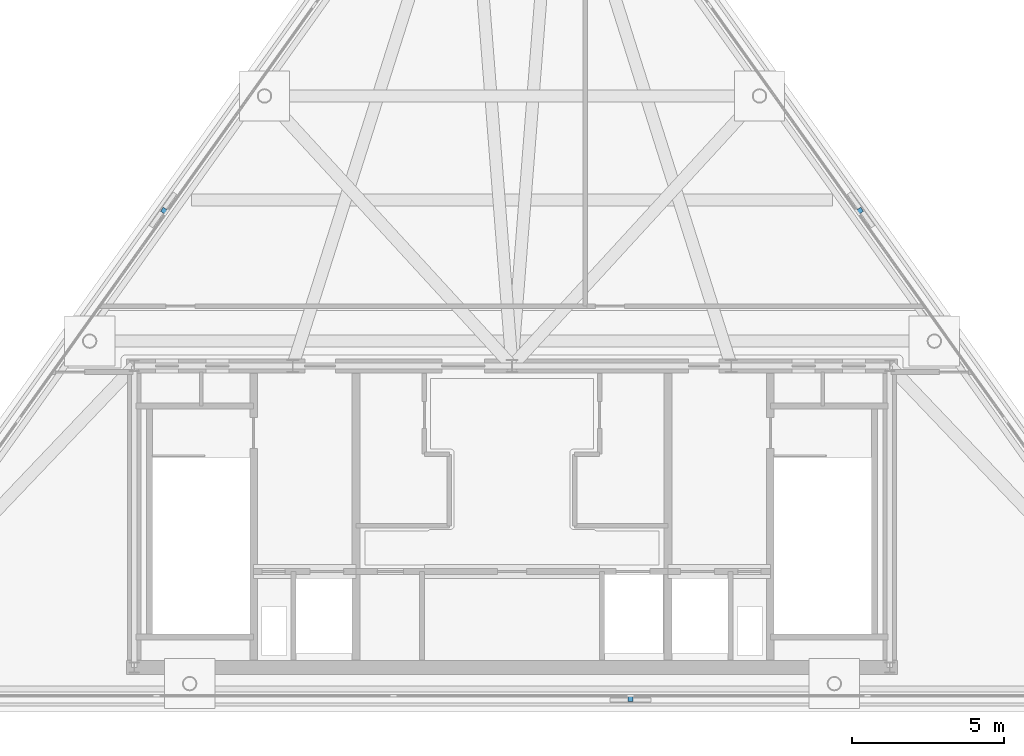
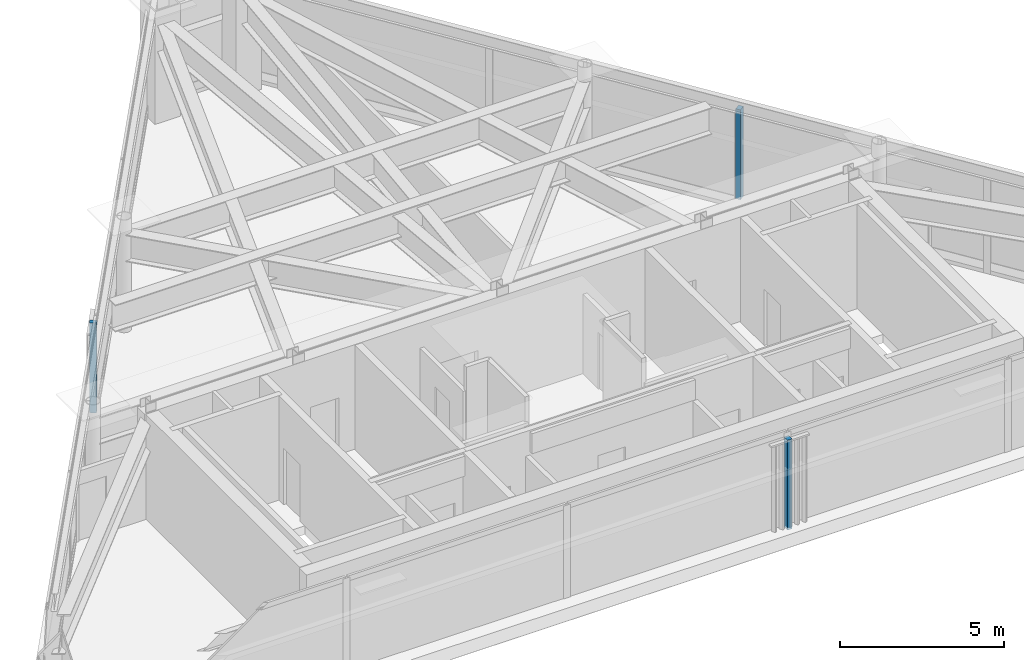
# One storey, part 6 of 7: 3 discrete accessories.
"""IFC4 building model written with IfcOpenShell, lengths in metres."""

from ifc_helpers import new_model, si_unit, direction, frame, origin, origin_2d, place, context, subcontext, project, spatial, rectangle, extrude, source, transform, mapped, material, layer, layer_set, type_object, type_shapes, element, save


model = new_model("IFC4")

# Units and contexts
model_context = context("Model", 3, precision=1e-05, world=origin(), true_north=direction((0.0, 1.0)))
body_context = subcontext(model_context, "Body", "Model", "MODEL_VIEW")
ifc_project = project(units=[si_unit("LENGTHUNIT", "METRE"), si_unit("AREAUNIT", "SQUARE_METRE"), si_unit("VOLUMEUNIT", "CUBIC_METRE"), si_unit("PLANEANGLEUNIT", "RADIAN"), si_unit("MASSUNIT", "GRAM", prefix="KILO")], contexts=[model_context])

# Site, building, storey
site_placement = place(None, origin())
site = spatial("IfcSite", under=ifc_project, at=site_placement, CompositionType="ELEMENT")
building_placement = place(site_placement, origin())
building = spatial("IfcBuilding", under=site, at=building_placement, Name="Talgorran Terracotta Tower", CompositionType="ELEMENT")
storey_placement = place(building_placement, frame((0.0, 0.0, 306.0)))
storey = spatial("IfcBuildingStorey", under=building, at=storey_placement, Name="L80", CompositionType="ELEMENT", Elevation=306.0)

# Discrete accessories
ifc_material = material(Name="Stainless Steel Grade 316", Category="steel")
ifc_layer = layer(ifc_material, 0.080078125, Name="ACC_BAGUETTE_BRKT")
ifc_layer_set = layer_set([ifc_layer], Name="Stainless Steel Grade 316")
discrete_accessory_type = type_object("IfcDiscreteAccessoryType", Name="ACC_BAGUETTE_BRKT", PredefinedType="BRACKET", material=ifc_layer_set)
shared_shape = source(origin(), body_context, "Body", "SweptSolid", [
    extrude(rectangle(XDim=0.159912109375, YDim=0.219970703125, at=origin_2d()), origin(), (0.0, 0.0, 1.0), 3.35009765625),
])
type_shapes(discrete_accessory_type, [shared_shape])
for number, where, z_axis, x_axis, name in (
    (1, (3.889892578125, -15.10009765625, 0.349853515625), (0.0, 0.0, 1.0), (1.0, 0.0, 0.0), "BRK-L80-F1"),
    (2, (11.40234375, 0.880615234375, 0.349853515625), (0.0, 0.0, 1.0), (-0.580759790281, 0.814074975658, 0.0), "BRK-L80-F3"),
    (3, (-11.40234375, 0.880615234375, 0.349853515625), (0.0, 0.0, 1.0), (-0.580759790281, -0.814074975658, 0.0), "BRK-L80-F5"),
):
    element("IfcDiscreteAccessory", number, at=place(storey_placement, frame(where, z_axis=z_axis, x_axis=x_axis)), inside=storey, type_object=discrete_accessory_type, Name=name, PredefinedType="BRACKET", context=body_context, shape_type="MappedRepresentation", body=[
        mapped(shared_shape, transform((0.0, 0.0, 0.0), scale=1.0)),
    ])

save(model, "model.ifc")
